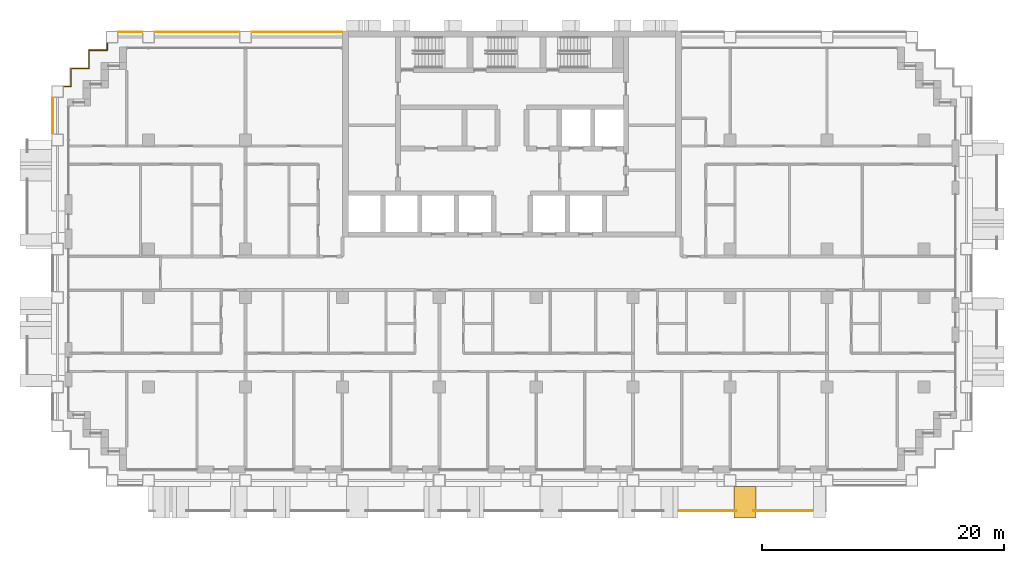
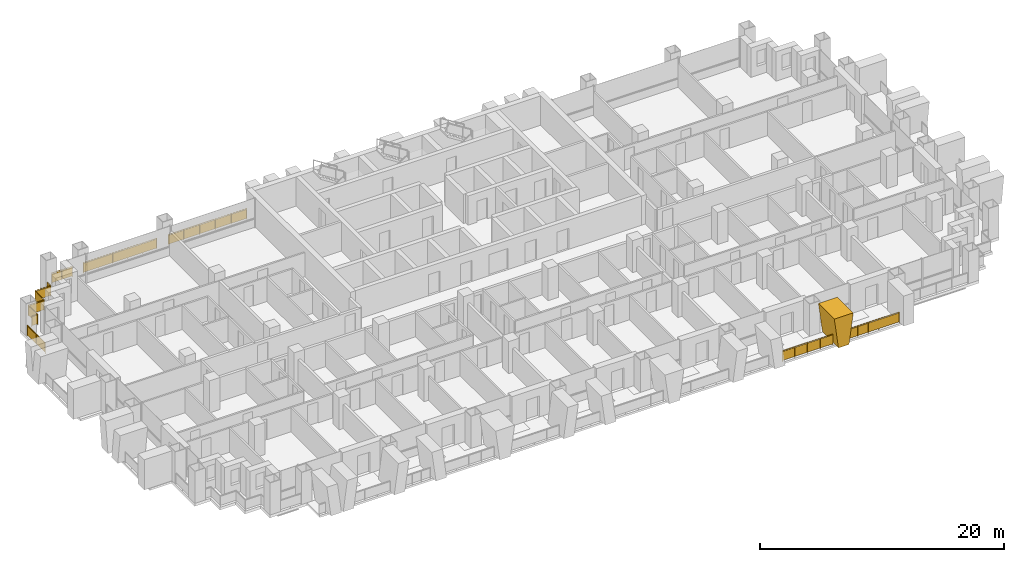
# One storey, part 17 of 19: 7 railings, 1 shading device.
"""IFC4 building model written with IfcOpenShell, lengths in metres."""

import ifcopenshell
import ifcopenshell.guid

model = None  # the IFC model being written
_history = None  # IfcOwnerHistory: only IFC2X3 demands one
_inside = {}  # id of a spatial element -> (the spatial element, [elements in it])
_under = {}  # id of a project, library or spatial element -> (it, [spatial elements below it])
_declared = {}  # id of a project -> (the project, [libraries it declares])
_typed = {}  # id of a type object -> (the type object, [elements of that type])
_made_of = {}  # id of a material, layer set ... -> (it, [elements and type objects made of it])


def new_model(schema):
    """Start an empty IFC model of exactly this schema.

    Asked for "IFC4X3", IfcOpenShell would pick the latest addendum, in which some entities
    have other attributes; the version numbers below select the first issue.
    IFC2X3 requires an IfcOwnerHistory on every rooted entity: one is made here for all.
    """
    global model, _history
    if schema == "IFC4X3":
        model = ifcopenshell.file(schema_version=(4, 3, 0, 0))
    else:
        model = ifcopenshell.file(schema=schema)
    _inside.clear()
    _under.clear()
    _declared.clear()
    _typed.clear()
    _made_of.clear()
    _history = None
    if model.schema == "IFC2X3":
        org = make("IfcOrganization", Name="unknown")
        user = make(
            "IfcPersonAndOrganization",
            ThePerson=make("IfcPerson", FamilyName="unknown"),
            TheOrganization=org,
        )
        app = make(
            "IfcApplication",
            ApplicationDeveloper=org,
            Version="unknown",
            ApplicationFullName="unknown",
            ApplicationIdentifier="unknown",
        )
        _history = make(
            "IfcOwnerHistory",
            OwningUser=user,
            OwningApplication=app,
            ChangeAction="ADDED",
            CreationDate=0,
        )
    return model


def make(cls, **values):
    """One entity of the class cls with the attributes given. An attribute that is None is left unset."""
    return model.create_entity(
        cls, **{name: value for name, value in values.items() if value is not None}
    )


def rooted(cls, **values):
    """An entity with a GlobalId (a new one), such as an element, a storey or a relation."""
    return make(cls, GlobalId=ifcopenshell.guid.new(), OwnerHistory=_history, **values)


def si_unit(unit_type, name, prefix=None):
    """IfcSIUnit, for example si_unit("LENGTHUNIT", "METRE", prefix="MILLI")."""
    return make("IfcSIUnit", UnitType=unit_type, Prefix=prefix, Name=name)


def assignment(units):
    """IfcUnitAssignment: the units of a project."""
    return None if units is None else make("IfcUnitAssignment", Units=units)


def point(xyz):
    """IfcCartesianPoint."""
    return None if xyz is None else make("IfcCartesianPoint", Coordinates=xyz)


def direction(xyz):
    """IfcDirection."""
    return None if xyz is None else make("IfcDirection", DirectionRatios=xyz)


def frame(location, z_axis=None, x_axis=None):
    """IfcAxis2Placement3D, a coordinate frame: its origin and axes. An axis left out is left unset."""
    return make(
        "IfcAxis2Placement3D",
        Location=point(location),
        Axis=direction(z_axis),
        RefDirection=direction(x_axis),
    )


def frame_2d(location, x_axis=None):
    """IfcAxis2Placement2D, a coordinate frame in the plane: its origin and x axis."""
    return make(
        "IfcAxis2Placement2D", Location=point(location), RefDirection=direction(x_axis)
    )


def origin():
    """The frame at (0, 0, 0) with its axes left unset."""
    return frame((0.0, 0.0, 0.0))


def origin_2d():
    """The frame at (0, 0) in the plane with its x axis left unset."""
    return frame_2d((0.0, 0.0))


def place(relative_to, where):
    """IfcLocalPlacement: puts the frame where relative to a parent placement (None: the world)."""
    return make(
        "IfcLocalPlacement", PlacementRelTo=relative_to, RelativePlacement=where
    )


def context(
    kind, dimensions, precision=None, world=None, true_north=None, identifier=None
):
    """IfcGeometricRepresentationContext, for example the 3D "Model" context."""
    return make(
        "IfcGeometricRepresentationContext",
        ContextIdentifier=identifier,
        ContextType=kind,
        CoordinateSpaceDimension=dimensions,
        Precision=precision,
        WorldCoordinateSystem=world,
        TrueNorth=true_north,
    )


def subcontext(parent, identifier, kind, view, scale=None):
    """IfcGeometricRepresentationSubContext, for example "Body" below "Model"."""
    return make(
        "IfcGeometricRepresentationSubContext",
        ContextIdentifier=identifier,
        ContextType=kind,
        ParentContext=parent,
        TargetScale=scale,
        TargetView=view,
    )


def project(units=None, contexts=None):
    """IfcProject with its units and contexts."""
    return rooted(
        "IfcProject",
        Name="project",
        RepresentationContexts=contexts,
        UnitsInContext=assignment(units),
    )


def spatial(cls, under=None, at=None, **own):
    """A site, building, storey or space (cls), placed at a placement, below another one or the project."""
    s = rooted(cls, ObjectPlacement=at, **own)
    if under is not None:
        _under.setdefault(under.id(), (under, []))[1].append(s)
    return s


def polyline(points):
    """IfcPolyline through the points."""
    return make("IfcPolyline", Points=[point(p) for p in points])


def profile(cls, at=None, kind="AREA", **sizes):
    """A parametric profile (cls). Its sizes go by their IFC names, for example OverallWidth=200.0."""
    return make(cls, ProfileType=kind, Position=at, **sizes)


def rectangle(**sizes):
    """IfcRectangleProfileDef."""
    return profile("IfcRectangleProfileDef", **sizes)


def circle(**sizes):
    """IfcCircleProfileDef."""
    return profile("IfcCircleProfileDef", **sizes)


def outline(outer, holes=None, kind="AREA"):
    """IfcArbitraryClosedProfileDef: a profile drawn as a closed curve; with holes, ...WithVoids."""
    if holes is None:
        return make("IfcArbitraryClosedProfileDef", ProfileType=kind, OuterCurve=outer)
    return make(
        "IfcArbitraryProfileDefWithVoids",
        ProfileType=kind,
        OuterCurve=outer,
        InnerCurves=holes,
    )


def extrude(swept, where, along, depth):
    """IfcExtrudedAreaSolid: the profile swept, set in the frame where, extruded along a direction by depth."""
    return make(
        "IfcExtrudedAreaSolid",
        SweptArea=swept,
        Position=where,
        ExtrudedDirection=direction(along),
        Depth=depth,
    )


def shape(context_of_items, identifier, shape_type, items):
    """IfcShapeRepresentation: the items that make up one representation, for example the "Body"."""
    return make(
        "IfcShapeRepresentation",
        ContextOfItems=context_of_items,
        RepresentationIdentifier=identifier,
        RepresentationType=shape_type,
        Items=items,
    )


def material(Name=None, Category=None):
    """IfcMaterial."""
    return make("IfcMaterial", Name=Name, Category=Category)


def layer(
    of_material, thickness, ventilated=None, Name=None, Category=None, Priority=None
):
    """IfcMaterialLayer: one layer of a wall or slab, of a material (None: an air gap)."""
    return make(
        "IfcMaterialLayer",
        Material=of_material,
        LayerThickness=thickness,
        IsVentilated=ventilated,
        Name=Name,
        Category=Category,
        Priority=Priority,
    )


def layer_set(layers, Name=None):
    """IfcMaterialLayerSet."""
    return make("IfcMaterialLayerSet", MaterialLayers=layers, LayerSetName=Name)


def made_of(thing, what):
    """Note that an element or type object is made of a material, layer set ...; save() writes the relation."""
    if what is not None:
        _made_of.setdefault(what.id(), (what, []))[1].append(thing)
    return thing


def type_object(cls, material=None, **own):
    """A type object (cls), such as IfcWallType, which elements share."""
    return made_of(rooted(cls, **own), material)


def element(
    cls,
    number,
    at=None,
    inside=None,
    cuts=None,
    type_object=None,
    material=None,
    context=None,
    identifier="Body",
    shape_type=None,
    held_by="IfcProductDefinitionShape",
    body=None,
    shapes=None,
    **own,
):
    """One element of the class cls, such as IfcWall. Its Tag is "e" and its number.

    at: its placement. inside: the storey or other place that contains it. cuts: it is an
    opening in that element (IfcRelVoidsElement). A single representation is given by context,
    identifier, shape_type and body (its items); several are given by shapes. held_by: the class
    of the entity that holds the representations. save() writes the other relations.
    """
    e = rooted(cls, Tag="e%d" % number, ObjectPlacement=at, **own)
    if body is not None:
        shapes = [shape(context, identifier, shape_type, body)]
    if shapes is not None:
        e.Representation = make(held_by, Representations=shapes)
    if inside is not None:
        _inside.setdefault(inside.id(), (inside, []))[1].append(e)
    if cuts is not None:
        rooted(
            "IfcRelVoidsElement", RelatingBuildingElement=cuts, RelatedOpeningElement=e
        )
    if type_object is not None:
        _typed.setdefault(type_object.id(), (type_object, []))[1].append(e)
    return made_of(e, material)


def aggregate(whole, parts):
    """IfcRelAggregates: a whole, such as a stair, and the parts it consists of."""
    return rooted("IfcRelAggregates", RelatingObject=whole, RelatedObjects=parts)


def save(model, path):
    """Write the relations noted so far, then the file.

    IfcRelAggregates (storeys below a building ...), IfcRelContainedInSpatialStructure (elements
    in a storey), IfcRelDefinesByType, IfcRelAssociatesMaterial and IfcRelDeclares: one each for
    every whole, place, type object, material and project.
    """
    for whole, parts in _under.values():
        aggregate(whole, parts)
    for where, things in _inside.values():
        rooted(
            "IfcRelContainedInSpatialStructure",
            RelatedElements=things,
            RelatingStructure=where,
        )
    for kind, things in _typed.values():
        rooted("IfcRelDefinesByType", RelatedObjects=things, RelatingType=kind)
    for what, things in _made_of.values():
        rooted("IfcRelAssociatesMaterial", RelatedObjects=things, RelatingMaterial=what)
    for by, libraries in _declared.values():
        rooted("IfcRelDeclares", RelatingContext=by, RelatedDefinitions=libraries)
    model.write(path)


model = new_model("IFC4")

# Units and contexts
model_context = context("Model", 3, precision=1e-05, world=origin(), true_north=direction((0.0, 1.0)))
body_context = subcontext(model_context, "Body", "Model", "MODEL_VIEW")
ifc_project = project(units=[si_unit("LENGTHUNIT", "METRE"), si_unit("AREAUNIT", "SQUARE_METRE"), si_unit("VOLUMEUNIT", "CUBIC_METRE"), si_unit("PLANEANGLEUNIT", "RADIAN"), si_unit("MASSUNIT", "GRAM", prefix="KILO")], contexts=[model_context])

# Site, building, storey
site_placement = place(None, origin())
site = spatial("IfcSite", under=ifc_project, at=site_placement, CompositionType="ELEMENT")
building_placement = place(site_placement, origin())
building = spatial("IfcBuilding", under=site, at=building_placement, Name="Vidyagriha Tower", CompositionType="ELEMENT")
storey_placement = place(building_placement, frame((0.0, 0.0, 57.60009765625)))
storey = spatial("IfcBuildingStorey", under=building, at=storey_placement, Name="L15", CompositionType="ELEMENT", Elevation=57.60009765625)

# Railings
ifc_material_1 = material(Name="Steel ASTM A500 Grade C black painted", Category="steel")
railing_type_1 = type_object("IfcRailingType", Name="Balcony guard 1100", PredefinedType="BALUSTRADE", material=ifc_material_1)
railing_1_placement = place(storey_placement, frame((13.75, -19.60009765625, 0.0)))
element("IfcRailing", 1, at=railing_1_placement, inside=storey, type_object=railing_type_1, Name="Balcony guard L15 R23.1-10", PredefinedType="BALUSTRADE", context=body_context, shape_type="SweptSolid", body=[
    extrude(circle(Radius=0.02490234375, at=origin_2d()), frame((0.0, 0.0, 1.0751953125), z_axis=(1.0, 0.0, 0.0), x_axis=(0.0, 1.0, 0.0)), (0.0, 0.0, 1.0), 4.773681640625),
    extrude(circle(Radius=0.02001953125, at=origin_2d()), origin(), (0.0, 0.0, 1.0), 1.050048828125),
    extrude(circle(Radius=0.02001953125, at=origin_2d()), frame((1.193359375, 0.0, 0.0)), (0.0, 0.0, 1.0), 1.050048828125),
    extrude(circle(Radius=0.02001953125, at=origin_2d()), frame((2.38671875, 0.0, 0.0)), (0.0, 0.0, 1.0), 1.050048828125),
    extrude(circle(Radius=0.02001953125, at=origin_2d()), frame((3.580322265625, 0.0, 0.0)), (0.0, 0.0, 1.0), 1.050048828125),
    extrude(circle(Radius=0.02001953125, at=origin_2d()), frame((4.773681640625, 0.0, 0.0)), (0.0, 0.0, 1.0), 1.050048828125),
    extrude(rectangle(XDim=0.010009765625, YDim=0.900146484375, at=origin_2d()), frame((0.0, 0.0, 0.550048828125), z_axis=(1.0, 0.0, 0.0), x_axis=(0.0, 1.0, 0.0)), (0.0, 0.0, 1.0), 4.773681640625),
])
railing_2_placement = place(storey_placement, frame((19.926513671875, -19.60009765625, 0.0)))
element("IfcRailing", 2, at=railing_2_placement, inside=storey, type_object=railing_type_1, Name="Balcony guard L15 R23.1-11", PredefinedType="BALUSTRADE", context=body_context, shape_type="SweptSolid", body=[
    extrude(circle(Radius=0.02490234375, at=origin_2d()), frame((0.0, 0.0, 1.0751953125), z_axis=(1.0, 0.0, 0.0), x_axis=(0.0, 1.0, 0.0)), (0.0, 0.0, 1.0), 4.8984375),
    extrude(circle(Radius=0.02001953125, at=origin_2d()), origin(), (0.0, 0.0, 1.0), 1.050048828125),
    extrude(circle(Radius=0.02001953125, at=origin_2d()), frame((0.979736328125, 0.0, 0.0)), (0.0, 0.0, 1.0), 1.050048828125),
    extrude(circle(Radius=0.02001953125, at=origin_2d()), frame((1.95947265625, 0.0, 0.0)), (0.0, 0.0, 1.0), 1.050048828125),
    extrude(circle(Radius=0.02001953125, at=origin_2d()), frame((2.93896484375, 0.0, 0.0)), (0.0, 0.0, 1.0), 1.050048828125),
    extrude(circle(Radius=0.02001953125, at=origin_2d()), frame((3.918701171875, 0.0, 0.0)), (0.0, 0.0, 1.0), 1.050048828125),
    extrude(circle(Radius=0.02001953125, at=origin_2d()), frame((4.8984375, 0.0, 0.0)), (0.0, 0.0, 1.0), 1.050048828125),
    extrude(rectangle(XDim=0.010009765625, YDim=0.900146484375, at=origin_2d()), frame((0.0, 0.0, 0.550048828125), z_axis=(1.0, 0.0, 0.0), x_axis=(0.0, 1.0, 0.0)), (0.0, 0.0, 1.0), 4.8984375),
])

# Shading device
ifc_material_2 = material(Name="Precast concrete C40/50 with buff brick facing", Category="concrete")
ifc_layer = layer(ifc_material_2, 1.0)
ifc_layer_set = layer_set([ifc_layer], Name="Precast concrete C40/50 with buff brick facing")
shading_device_type = type_object("IfcShadingDeviceType", Name="Brick-faced blade fin forking 8 degrees", PredefinedType="USERDEFINED", material=ifc_layer_set)
shading_device_placement = place(storey_placement, frame((18.330078125, -18.89990234375, 0.0)))
element("IfcShadingDevice", 3, at=shading_device_placement, inside=storey, type_object=shading_device_type, Name="Forked blade fin L15 R23.4980a", ObjectType="BLADE FIN", PredefinedType="USERDEFINED", context=body_context, shape_type="SweptSolid", body=[
    extrude(outline(polyline([(0.39501953125, 0.0), (1.39501953125, 0.0), (1.7900390625, 3.0), (0.0, 3.0), (0.39501953125, 0.0)])), frame((0.0, 1.300048828125, 0.0), z_axis=(0.0, -1.0, 0.0), x_axis=(1.0, 0.0, 0.0)), (0.0, 0.0, 1.0), 2.60009765625),
])

# Railings
ifc_material_3 = material(Name="Steel ASTM A500 Grade C black painted", Category="steel")
railing_type_2 = type_object("IfcRailingType", Name="Gallery guard 1100", PredefinedType="GUARDRAIL", material=ifc_material_3)
railing_3_placement = place(storey_placement, frame((-37.89990234375, 11.530029296875, 0.0)))
element("IfcRailing", 4, at=railing_3_placement, inside=storey, type_object=railing_type_2, Name="Gallery guard L15 3", PredefinedType="GUARDRAIL", context=body_context, shape_type="SweptSolid", body=[
    extrude(circle(Radius=0.02490234375, at=origin_2d()), frame((0.0, 0.0, 1.0751953125), z_axis=(0.0, 1.0, 0.0), x_axis=(-1.0, 0.0, 0.0)), (0.0, 0.0, 1.0), 2.93994140625),
    extrude(circle(Radius=0.02001953125, at=origin_2d()), origin(), (0.0, 0.0, 1.0), 1.050048828125),
    extrude(circle(Radius=0.02001953125, at=origin_2d()), frame((0.0, 1.469970703125, 0.0)), (0.0, 0.0, 1.0), 1.050048828125),
    extrude(circle(Radius=0.02001953125, at=origin_2d()), frame((0.0, 2.93994140625, 0.0)), (0.0, 0.0, 1.0), 1.050048828125),
    extrude(rectangle(XDim=0.010009765625, YDim=0.900146484375, at=origin_2d()), frame((0.0, 0.0, 0.550048828125), z_axis=(0.0, 1.0, 0.0), x_axis=(-1.0, 0.0, 0.0)), (0.0, 0.0, 1.0), 2.93994140625),
])
railing_4_placement = place(storey_placement, frame((-36.969970703125, 15.39990234375, 0.0)))
element("IfcRailing", 5, at=railing_4_placement, inside=storey, type_object=railing_type_2, Name="Gallery guard L15 5", PredefinedType="GUARDRAIL", context=body_context, shape_type="SweptSolid", body=[
    extrude(circle(Radius=0.02490234375, at=origin_2d()), frame((0.0, 0.0, 1.0751953125), z_axis=(1.0, 0.0, 0.0), x_axis=(0.0, 1.0, 0.0)), (0.0, 0.0, 1.0), 0.570068359375),
    extrude(circle(Radius=0.02490234375, at=origin_2d()), frame((0.570068359375, 0.0, 1.0751953125), z_axis=(0.0, 1.0, 0.0), x_axis=(-1.0, 0.0, 0.0)), (0.0, 0.0, 1.0), 1.5),
    extrude(circle(Radius=0.02490234375, at=origin_2d()), frame((0.570068359375, 1.5, 1.0751953125), z_axis=(1.0, 0.0, 0.0), x_axis=(0.0, 1.0, 0.0)), (0.0, 0.0, 1.0), 1.5),
    extrude(circle(Radius=0.02490234375, at=origin_2d()), frame((2.070068359375, 1.5, 1.0751953125), z_axis=(0.0, 1.0, 0.0), x_axis=(-1.0, 0.0, 0.0)), (0.0, 0.0, 1.0), 1.5),
    extrude(circle(Radius=0.02490234375, at=origin_2d()), frame((2.070068359375, 3.0, 1.0751953125), z_axis=(1.0, 0.0, 0.0), x_axis=(0.0, 1.0, 0.0)), (0.0, 0.0, 1.0), 1.5),
    extrude(circle(Radius=0.02490234375, at=origin_2d()), frame((3.570068359375, 3.0, 1.0751953125), z_axis=(0.0, 1.0, 0.0), x_axis=(-1.0, 0.0, 0.0)), (0.0, 0.0, 1.0), 0.570068359375),
    extrude(circle(Radius=0.02001953125, at=origin_2d()), origin(), (0.0, 0.0, 1.0), 1.050048828125),
    extrude(circle(Radius=0.02001953125, at=origin_2d()), frame((0.570068359375, 0.0, 0.0)), (0.0, 0.0, 1.0), 1.050048828125),
    extrude(circle(Radius=0.02001953125, at=origin_2d()), frame((0.570068359375, 1.5, 0.0)), (0.0, 0.0, 1.0), 1.050048828125),
    extrude(circle(Radius=0.02001953125, at=origin_2d()), frame((2.070068359375, 1.5, 0.0)), (0.0, 0.0, 1.0), 1.050048828125),
    extrude(circle(Radius=0.02001953125, at=origin_2d()), frame((2.070068359375, 3.0, 0.0)), (0.0, 0.0, 1.0), 1.050048828125),
    extrude(circle(Radius=0.02001953125, at=origin_2d()), frame((3.570068359375, 3.0, 0.0)), (0.0, 0.0, 1.0), 1.050048828125),
    extrude(circle(Radius=0.02001953125, at=origin_2d()), frame((3.570068359375, 3.570068359375, 0.0)), (0.0, 0.0, 1.0), 1.050048828125),
    extrude(rectangle(XDim=0.010009765625, YDim=0.900146484375, at=origin_2d()), frame((0.0, 0.0, 0.550048828125), z_axis=(1.0, 0.0, 0.0), x_axis=(0.0, 1.0, 0.0)), (0.0, 0.0, 1.0), 0.570068359375),
    extrude(rectangle(XDim=0.010009765625, YDim=0.900146484375, at=origin_2d()), frame((0.570068359375, 0.0, 0.550048828125), z_axis=(0.0, 1.0, 0.0), x_axis=(-1.0, 0.0, 0.0)), (0.0, 0.0, 1.0), 1.5),
    extrude(rectangle(XDim=0.010009765625, YDim=0.900146484375, at=origin_2d()), frame((0.570068359375, 1.5, 0.550048828125), z_axis=(1.0, 0.0, 0.0), x_axis=(0.0, 1.0, 0.0)), (0.0, 0.0, 1.0), 1.5),
    extrude(rectangle(XDim=0.010009765625, YDim=0.900146484375, at=origin_2d()), frame((2.070068359375, 1.5, 0.550048828125), z_axis=(0.0, 1.0, 0.0), x_axis=(-1.0, 0.0, 0.0)), (0.0, 0.0, 1.0), 1.5),
    extrude(rectangle(XDim=0.010009765625, YDim=0.900146484375, at=origin_2d()), frame((2.070068359375, 3.0, 0.550048828125), z_axis=(1.0, 0.0, 0.0), x_axis=(0.0, 1.0, 0.0)), (0.0, 0.0, 1.0), 1.5),
    extrude(rectangle(XDim=0.010009765625, YDim=0.900146484375, at=origin_2d()), frame((3.570068359375, 3.0, 0.550048828125), z_axis=(0.0, 1.0, 0.0), x_axis=(-1.0, 0.0, 0.0)), (0.0, 0.0, 1.0), 0.570068359375),
])
railing_5_placement = place(storey_placement, frame((-32.469970703125, 19.89990234375, 0.0)))
element("IfcRailing", 6, at=railing_5_placement, inside=storey, type_object=railing_type_2, Name="Gallery guard L15 7", PredefinedType="GUARDRAIL", context=body_context, shape_type="SweptSolid", body=[
    extrude(circle(Radius=0.02490234375, at=origin_2d()), frame((0.0, 0.0, 1.0751953125), z_axis=(1.0, 0.0, 0.0), x_axis=(0.0, 1.0, 0.0)), (0.0, 0.0, 1.0), 1.93994140625),
    extrude(circle(Radius=0.02001953125, at=origin_2d()), origin(), (0.0, 0.0, 1.0), 1.050048828125),
    extrude(circle(Radius=0.02001953125, at=origin_2d()), frame((0.969970703125, 0.0, 0.0)), (0.0, 0.0, 1.0), 1.050048828125),
    extrude(circle(Radius=0.02001953125, at=origin_2d()), frame((1.93994140625, 0.0, 0.0)), (0.0, 0.0, 1.0), 1.050048828125),
    extrude(rectangle(XDim=0.010009765625, YDim=0.900146484375, at=origin_2d()), frame((0.0, 0.0, 0.550048828125), z_axis=(1.0, 0.0, 0.0), x_axis=(0.0, 1.0, 0.0)), (0.0, 0.0, 1.0), 1.93994140625),
])
railing_6_placement = place(storey_placement, frame((-29.469970703125, 19.89990234375, 0.0)))
element("IfcRailing", 7, at=railing_6_placement, inside=storey, type_object=railing_type_2, Name="Gallery guard L15 8", PredefinedType="GUARDRAIL", context=body_context, shape_type="SweptSolid", body=[
    extrude(circle(Radius=0.02490234375, at=origin_2d()), frame((0.0, 0.0, 1.0751953125), z_axis=(1.0, 0.0, 0.0), x_axis=(0.0, 1.0, 0.0)), (0.0, 0.0, 1.0), 6.93994140625),
    extrude(circle(Radius=0.02001953125, at=origin_2d()), origin(), (0.0, 0.0, 1.0), 1.050048828125),
    extrude(circle(Radius=0.02001953125, at=origin_2d()), frame((1.387939453125, 0.0, 0.0)), (0.0, 0.0, 1.0), 1.050048828125),
    extrude(circle(Radius=0.02001953125, at=origin_2d()), frame((2.77587890625, 0.0, 0.0)), (0.0, 0.0, 1.0), 1.050048828125),
    extrude(circle(Radius=0.02001953125, at=origin_2d()), frame((4.1640625, 0.0, 0.0)), (0.0, 0.0, 1.0), 1.050048828125),
    extrude(circle(Radius=0.02001953125, at=origin_2d()), frame((5.552001953125, 0.0, 0.0)), (0.0, 0.0, 1.0), 1.050048828125),
    extrude(circle(Radius=0.02001953125, at=origin_2d()), frame((6.93994140625, 0.0, 0.0)), (0.0, 0.0, 1.0), 1.050048828125),
    extrude(rectangle(XDim=0.010009765625, YDim=0.900146484375, at=origin_2d()), frame((0.0, 0.0, 0.550048828125), z_axis=(1.0, 0.0, 0.0), x_axis=(0.0, 1.0, 0.0)), (0.0, 0.0, 1.0), 6.93994140625),
])
railing_7_placement = place(storey_placement, frame((-21.469970703125, 19.89990234375, 0.0)))
element("IfcRailing", 8, at=railing_7_placement, inside=storey, type_object=railing_type_2, Name="Gallery guard L15 9", PredefinedType="GUARDRAIL", context=body_context, shape_type="SweptSolid", body=[
    extrude(circle(Radius=0.02490234375, at=origin_2d()), frame((0.0, 0.0, 1.0751953125), z_axis=(1.0, 0.0, 0.0), x_axis=(0.0, 1.0, 0.0)), (0.0, 0.0, 1.0), 7.43994140625),
    extrude(circle(Radius=0.02001953125, at=origin_2d()), origin(), (0.0, 0.0, 1.0), 1.050048828125),
    extrude(circle(Radius=0.02001953125, at=origin_2d()), frame((1.488037109375, 0.0, 0.0)), (0.0, 0.0, 1.0), 1.050048828125),
    extrude(circle(Radius=0.02001953125, at=origin_2d()), frame((2.97607421875, 0.0, 0.0)), (0.0, 0.0, 1.0), 1.050048828125),
    extrude(circle(Radius=0.02001953125, at=origin_2d()), frame((4.4638671875, 0.0, 0.0)), (0.0, 0.0, 1.0), 1.050048828125),
    extrude(circle(Radius=0.02001953125, at=origin_2d()), frame((5.951904296875, 0.0, 0.0)), (0.0, 0.0, 1.0), 1.050048828125),
    extrude(circle(Radius=0.02001953125, at=origin_2d()), frame((7.43994140625, 0.0, 0.0)), (0.0, 0.0, 1.0), 1.050048828125),
    extrude(rectangle(XDim=0.010009765625, YDim=0.900146484375, at=origin_2d()), frame((0.0, 0.0, 0.550048828125), z_axis=(1.0, 0.0, 0.0), x_axis=(0.0, 1.0, 0.0)), (0.0, 0.0, 1.0), 7.43994140625),
])

save(model, "model.ifc")
